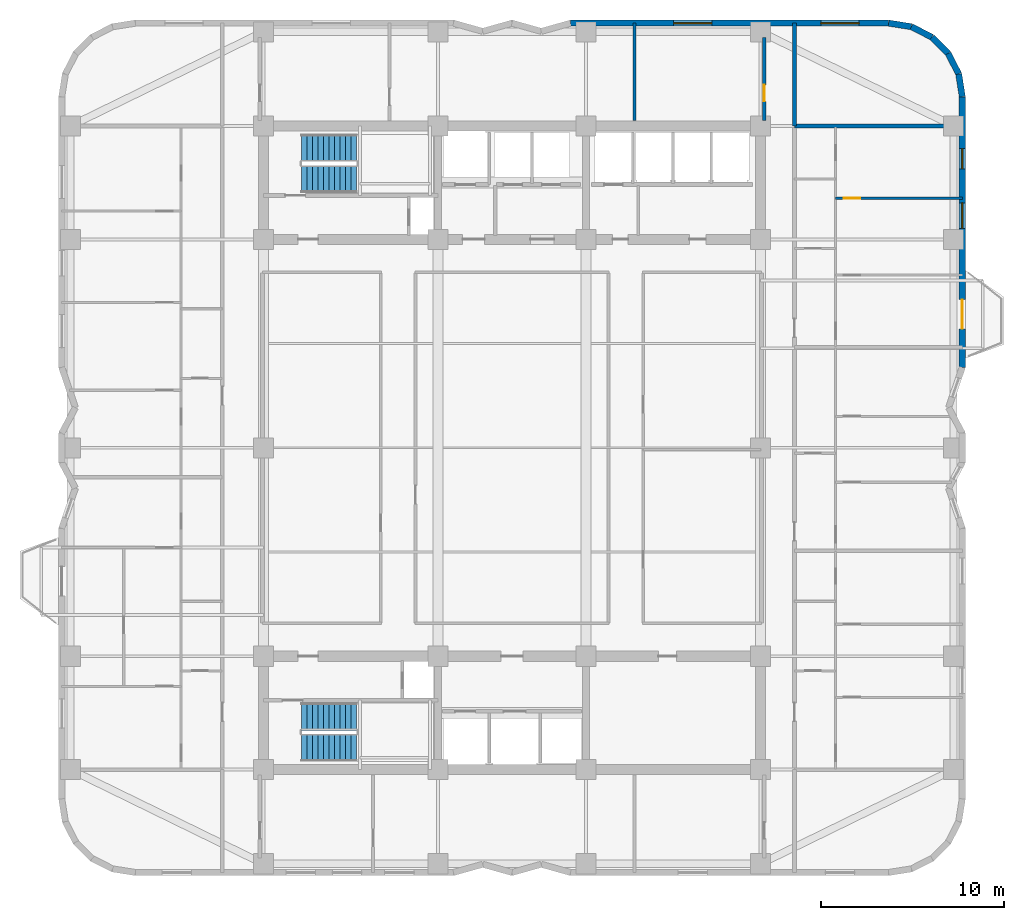
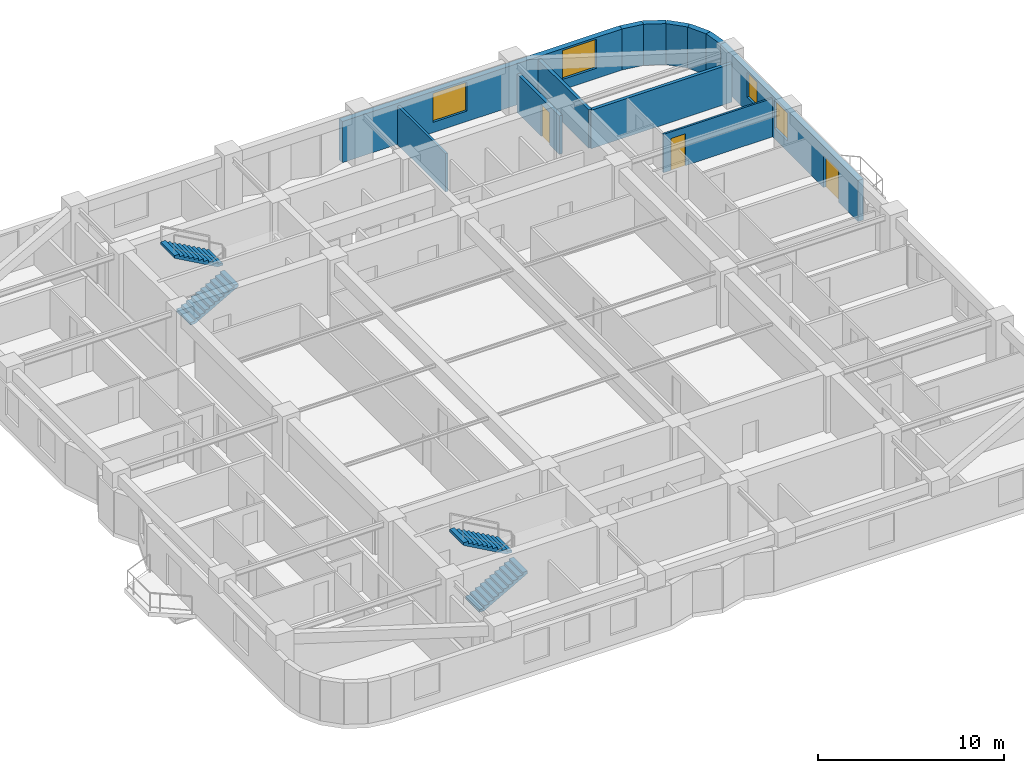
# One storey, part 7 of 9: 12 walls, 4 stair flights, 4 windows, 3 doors, 7 openings, 2 elements without a shape of their own.
"""IFC4 building model written with IfcOpenShell, lengths in metres."""

from ifc_helpers import new_model, si_unit, direction, frame, frame_2d, origin, place, context, subcontext, project, spatial, polyline, rectangle, outline, extrude, material, layer, layer_set, type_object, element, fill, aggregate, save


model = new_model("IFC4")

# Units and contexts
model_context = context("Model", 3, precision=1e-05, world=origin(), true_north=direction((0.0, 1.0)))
body_context = subcontext(model_context, "Body", "Model", "MODEL_VIEW")
ifc_project = project(units=[si_unit("LENGTHUNIT", "METRE"), si_unit("AREAUNIT", "SQUARE_METRE"), si_unit("VOLUMEUNIT", "CUBIC_METRE"), si_unit("PLANEANGLEUNIT", "RADIAN"), si_unit("MASSUNIT", "GRAM", prefix="KILO")], contexts=[model_context])

# Site, building, storey
site_placement = place(None, origin())
site = spatial("IfcSite", under=ifc_project, at=site_placement, CompositionType="ELEMENT")
building_placement = place(site_placement, origin())
building = spatial("IfcBuilding", under=site, at=building_placement, Name="Svetorya Sky Lyceum", CompositionType="ELEMENT")
storey_placement = place(building_placement, frame((0.0, 0.0, 125.300048828125)))
storey = spatial("IfcBuildingStorey", under=building, at=storey_placement, Name="L31", CompositionType="ELEMENT", Elevation=125.300048828125)

# Wall, openings, door, windows
ifc_material_1 = material(Name="Putilovo limestone rainscreen on autoclaved cellular masonry", Category="masonry")
ifc_layer_1 = layer(ifc_material_1, 0.340087890625)
ifc_layer_set_1 = layer_set([ifc_layer_1], Name="Putilovo limestone rainscreen on autoclaved cellular masonry")
wall_type_1 = type_object("IfcWallType", Name="WL-EXT-340", PredefinedType="SOLIDWALL", material=ifc_layer_set_1)
wall_1_placement = place(storey_placement, frame((63.830078125, 32.60009765625, 0.0), z_axis=(0.0, 0.0, 1.0), x_axis=(0.0, 1.0, 0.0)))
wall_1 = element("IfcWall", 1, at=wall_1_placement, inside=storey, type_object=wall_type_1, Name="L31 Limestone Exterior Wall 23M", PredefinedType="SOLIDWALL", context=body_context, shape_type="SweptSolid", body=[
    extrude(rectangle(XDim=14.7998046875, YDim=0.340087890625, at=frame_2d((7.39990234375, 0.0))), origin(), (0.0, 0.0, 1.0), 2.699951171875),
])
opening_1_placement = place(wall_1_placement, frame((2.10009765625, 0.0, 0.0)))
opening_1 = element("IfcOpeningElement", 2, at=opening_1_placement, cuts=wall_1, Name="Opening D-BL1", PredefinedType="OPENING", context=body_context, shape_type="SweptSolid", body=[
    extrude(rectangle(XDim=1.60009765625, YDim=2.10009765625, at=frame_2d((0.800048828125, 1.050048828125))), frame((0.0, 0.179931640625, 0.0), z_axis=(0.0, -1.0, 0.0), x_axis=(1.0, 0.0, 0.0)), (0.0, 0.0, 1.0), 0.360107421875),
])
opening_2_placement = place(wall_1_placement, frame((7.60009765625, 0.0, 0.68994140625)))
opening_2 = element("IfcOpeningElement", 3, at=opening_2_placement, cuts=wall_1, Name="Opening W-R2", PredefinedType="OPENING", context=body_context, shape_type="SweptSolid", body=[
    extrude(rectangle(XDim=1.39990234375, YDim=1.85009765625, at=frame_2d((0.699951171875, 0.925048828125))), frame((0.0, 0.179931640625, 0.0), z_axis=(0.0, -1.0, 0.0), x_axis=(1.0, 0.0, 0.0)), (0.0, 0.0, 1.0), 0.360107421875),
])
opening_3_placement = place(wall_1_placement, frame((10.862548828125, 0.0, 0.929931640625)))
opening_3 = element("IfcOpeningElement", 4, at=opening_3_placement, cuts=wall_1, Name="Opening W-R3", PredefinedType="OPENING", context=body_context, shape_type="SweptSolid", body=[
    extrude(rectangle(XDim=1.10009765625, YDim=1.64990234375, at=frame_2d((0.550048828125, 0.824951171875))), frame((0.0, 0.179931640625, 0.0), z_axis=(0.0, -1.0, 0.0), x_axis=(1.0, 0.0, 0.0)), (0.0, 0.0, 1.0), 0.360107421875),
])
ifc_material_2 = material(Name="Insulated glazed aluminium balcony door", Category="aluminium")
door_type_1 = type_object("IfcDoorType", Name="DR-BAL-1600", OperationType="DOUBLE_DOOR_SINGLE_SWING", PredefinedType="DOOR", material=ifc_material_2)
door_1_placement = place(opening_1_placement, origin())
door_1 = element("IfcDoor", 5, at=door_1_placement, inside=storey, type_object=door_type_1, Name="L31 Balcony BAL-E1 Door", OperationType="DOUBLE_DOOR_SINGLE_SWING", OverallHeight=2.10009765625, OverallWidth=1.60009765625, PredefinedType="DOOR", context=body_context, shape_type="SweptSolid", body=[
    extrude(rectangle(XDim=1.60009765625, YDim=2.10009765625, at=frame_2d((0.800048828125, 1.050048828125))), frame((0.0, 0.02490234375, 0.0), z_axis=(0.0, -1.0, 0.0), x_axis=(1.0, 0.0, 0.0)), (0.0, 0.0, 1.0), 0.050048828125),
])
fill(opening_1, door_1)
ifc_material_3 = material(Name="Thermally broken aluminium frame with triple low-E glazing", Category="aluminium")
window_type_1 = type_object("IfcWindowType", Name="WN-RES-110", PartitioningType="SINGLE_PANEL", PredefinedType="WINDOW", material=ifc_material_3)
window_1_placement = place(opening_3_placement, origin())
window_1 = element("IfcWindow", 6, at=window_1_placement, inside=storey, type_object=window_type_1, Name="L31 Facade Window W-R3.23M.1", OverallHeight=1.64990234375, OverallWidth=1.10009765625, PartitioningType="SINGLE_PANEL", PredefinedType="WINDOW", context=body_context, shape_type="SweptSolid", body=[
    extrude(rectangle(XDim=1.10009765625, YDim=1.64990234375, at=frame_2d((0.550048828125, 0.824951171875))), frame((0.0, 0.030029296875, 0.0), z_axis=(0.0, -1.0, 0.0), x_axis=(1.0, 0.0, 0.0)), (0.0, 0.0, 1.0), 0.06005859375),
])
fill(opening_3, window_1)
window_type_2 = type_object("IfcWindowType", Name="WN-RES-140", PartitioningType="SINGLE_PANEL", PredefinedType="WINDOW", material=ifc_material_3)
window_2_placement = place(opening_2_placement, origin())
window_2 = element("IfcWindow", 7, at=window_2_placement, inside=storey, type_object=window_type_2, Name="L31 Facade Window W-R2.23M.2", OverallHeight=1.85009765625, OverallWidth=1.39990234375, PartitioningType="SINGLE_PANEL", PredefinedType="WINDOW", context=body_context, shape_type="SweptSolid", body=[
    extrude(rectangle(XDim=1.39990234375, YDim=1.85009765625, at=frame_2d((0.699951171875, 0.925048828125))), frame((0.0, 0.030029296875, 0.0), z_axis=(0.0, -1.0, 0.0), x_axis=(1.0, 0.0, 0.0)), (0.0, 0.0, 1.0), 0.06005859375),
])
fill(opening_2, window_2)

# Walls
for number, where, z_axis, x_axis, name in (
    (8, (63.830078125, 47.39990234375, 0.0), (0.0, 0.0, 1.0), (-0.15644975923, 0.987685918112, 0.0), "L31 Limestone Exterior Wall 24M"),
    (9, (63.6328125, 48.645263671875, 0.0), (0.0, 0.0, 1.0), (-0.454015689056, 0.890993689142, 0.0), "L31 Limestone Exterior Wall 25M"),
    (10, (63.060302734375, 49.768798828125, 0.0), (0.0, 0.0, 1.0), (-0.707106781187, 0.707106781187, 0.0), "L31 Limestone Exterior Wall 26M"),
):
    element("IfcWall", number, at=place(storey_placement, frame(where, z_axis=z_axis, x_axis=x_axis)), inside=storey, type_object=wall_type_1, Name=name, PredefinedType="SOLIDWALL", context=body_context, shape_type="SweptSolid", body=[
        extrude(rectangle(XDim=1.260986328125, YDim=0.340087890625, at=frame_2d((0.63037109375, 0.0))), origin(), (0.0, 0.0, 1.0), 2.699951171875),
    ])
for number, where, z_axis, x_axis, name in (
    (11, (62.168701171875, 50.660400390625, 0.0), (0.0, 0.0, 1.0), (-0.890953769915, 0.454094020963, 0.0), "L31 Limestone Exterior Wall 27M"),
    (12, (61.04541015625, 51.23291015625, 0.0), (0.0, 0.0, 1.0), (-0.98771582066, 0.156260864002, 0.0), "L31 Limestone Exterior Wall 28M"),
):
    element("IfcWall", number, at=place(storey_placement, frame(where, z_axis=z_axis, x_axis=x_axis)), inside=storey, type_object=wall_type_1, Name=name, PredefinedType="SOLIDWALL", context=body_context, shape_type="SweptSolid", body=[
        extrude(rectangle(XDim=1.2607421875, YDim=0.340087890625, at=frame_2d((0.63037109375, 0.0))), origin(), (0.0, 0.0, 1.0), 2.699951171875),
    ])

# Wall, openings, windows
wall_2_placement = place(storey_placement, frame((59.800048828125, 51.429931640625, 0.0), z_axis=(0.0, 0.0, 1.0), x_axis=(-1.0, 0.0, 0.0)))
wall_2 = element("IfcWall", 13, at=wall_2_placement, inside=storey, type_object=wall_type_1, Name="L31 Limestone Exterior Wall 29M", PredefinedType="SOLIDWALL", context=body_context, shape_type="SweptSolid", body=[
    extrude(rectangle(XDim=17.400146484375, YDim=0.340087890625, at=frame_2d((8.7001953125, 0.0))), origin(), (0.0, 0.0, 1.0), 2.699951171875),
])
opening_4_placement = place(wall_2_placement, frame((1.612548828125, 0.0, 0.679931640625)))
opening_4 = element("IfcOpeningElement", 14, at=opening_4_placement, cuts=wall_2, Name="Opening W-R0", PredefinedType="OPENING", context=body_context, shape_type="SweptSolid", body=[
    extrude(rectangle(XDim=2.10009765625, YDim=1.89990234375, at=frame_2d((1.050048828125, 0.949951171875))), frame((0.0, 0.179931640625, 0.0), z_axis=(0.0, -1.0, 0.0), x_axis=(1.0, 0.0, 0.0)), (0.0, 0.0, 1.0), 0.360107421875),
])
opening_5_placement = place(wall_2_placement, frame((9.66259765625, 0.0, 0.679931640625)))
opening_5 = element("IfcOpeningElement", 15, at=opening_5_placement, cuts=wall_2, Name="Opening W-R0", PredefinedType="OPENING", context=body_context, shape_type="SweptSolid", body=[
    extrude(rectangle(XDim=2.10009765625, YDim=1.89990234375, at=frame_2d((1.050048828125, 0.949951171875))), frame((0.0, 0.179931640625, 0.0), z_axis=(0.0, -1.0, 0.0), x_axis=(1.0, 0.0, 0.0)), (0.0, 0.0, 1.0), 0.360107421875),
])
window_type_3 = type_object("IfcWindowType", Name="WN-RES-210", PartitioningType="TRIPLE_PANEL_VERTICAL", PredefinedType="WINDOW", material=ifc_material_3)
window_3_placement = place(opening_4_placement, origin())
window_3 = element("IfcWindow", 16, at=window_3_placement, inside=storey, type_object=window_type_3, Name="L31 Facade Window W-R0.29M.1", OverallHeight=1.89990234375, OverallWidth=2.10009765625, PartitioningType="SINGLE_PANEL", PredefinedType="WINDOW", context=body_context, shape_type="SweptSolid", body=[
    extrude(rectangle(XDim=2.10009765625, YDim=1.89990234375, at=frame_2d((1.050048828125, 0.949951171875))), frame((0.0, 0.030029296875, 0.0), z_axis=(0.0, -1.0, 0.0), x_axis=(1.0, 0.0, 0.0)), (0.0, 0.0, 1.0), 0.06005859375),
])
fill(opening_4, window_3)
window_4_placement = place(opening_5_placement, origin())
window_4 = element("IfcWindow", 17, at=window_4_placement, inside=storey, type_object=window_type_3, Name="L31 Facade Window W-R0.29M.2", OverallHeight=1.89990234375, OverallWidth=2.10009765625, PartitioningType="SINGLE_PANEL", PredefinedType="WINDOW", context=body_context, shape_type="SweptSolid", body=[
    extrude(rectangle(XDim=2.10009765625, YDim=1.89990234375, at=frame_2d((1.050048828125, 0.949951171875))), frame((0.0, 0.030029296875, 0.0), z_axis=(0.0, -1.0, 0.0), x_axis=(1.0, 0.0, 0.0)), (0.0, 0.0, 1.0), 0.06005859375),
])
fill(opening_5, window_4)

# Wall, opening, door
ifc_material_4 = material(Name="Twin-stud galvanized framing with double fireboard", Category="gypsum")
ifc_layer_2 = layer(ifc_material_4, 0.1201171875)
ifc_layer_set_2 = layer_set([ifc_layer_2], Name="Twin-stud galvanized framing with double fireboard")
wall_type_2 = type_object("IfcWallType", Name="WL-PART-120", PredefinedType="PARTITIONING", material=ifc_layer_set_2)
wall_3_placement = place(storey_placement, frame((56.89990234375, 41.85009765625, 0.0), z_axis=(0.0, 0.0, 1.0), x_axis=(1.0, 0.0, 0.0)))
wall_3 = element("IfcWall", 18, at=wall_3_placement, inside=storey, type_object=wall_type_2, Name="L31 Interior Partition E3-WL2", PredefinedType="PARTITIONING", context=body_context, shape_type="SweptSolid", body=[
    extrude(rectangle(XDim=6.93017578125, YDim=0.1201171875, at=frame_2d((3.465087890625, 0.0))), origin(), (0.0, 0.0, 1.0), 2.530029296875),
])
opening_6_placement = place(wall_3_placement, frame((0.449951171875, 0.0, 0.0)))
opening_6 = element("IfcOpeningElement", 19, at=opening_6_placement, cuts=wall_3, Name="Opening D-RM1", PredefinedType="OPENING", context=body_context, shape_type="SweptSolid", body=[
    extrude(rectangle(XDim=0.89990234375, YDim=2.10009765625, at=frame_2d((0.449951171875, 1.050048828125))), frame((0.0, 0.070068359375, 0.0), z_axis=(0.0, -1.0, 0.0), x_axis=(1.0, 0.0, 0.0)), (0.0, 0.0, 1.0), 0.14013671875),
])
ifc_material_5 = material(Name="Lacquered birch veneer internal door")
door_type_2 = type_object("IfcDoorType", Name="DR-INT-900", OperationType="SINGLE_SWING_LEFT", PredefinedType="DOOR", material=ifc_material_5)
door_2_placement = place(opening_6_placement, origin())
door_2 = element("IfcDoor", 20, at=door_2_placement, inside=storey, type_object=door_type_2, Name="Apartment E3 Bedroom 2 Door", OperationType="SINGLE_SWING_LEFT", OverallHeight=2.10009765625, OverallWidth=0.89990234375, PredefinedType="DOOR", context=body_context, shape_type="SweptSolid", body=[
    extrude(rectangle(XDim=0.89990234375, YDim=2.10009765625, at=frame_2d((0.449951171875, 1.050048828125))), frame((0.0, 0.02490234375, 0.0), z_axis=(0.0, -1.0, 0.0), x_axis=(1.0, 0.0, 0.0)), (0.0, 0.0, 1.0), 0.050048828125),
])
fill(opening_6, door_2)

# Walls
ifc_material_6 = material(Name="Autoclaved cellular masonry blockwork with acoustic render", Category="masonry")
ifc_layer_3 = layer(ifc_material_6, 0.14990234375)
ifc_layer_set_3 = layer_set([ifc_layer_3], Name="Autoclaved cellular masonry blockwork with acoustic render")
wall_type_3 = type_object("IfcWallType", Name="WL-PART-150", PredefinedType="PARTITIONING", material=ifc_layer_set_3)
wall_4_placement = place(storey_placement, frame((45.89990234375, 46.10009765625, 0.0), z_axis=(0.0, 0.0, 1.0), x_axis=(0.0, 1.0, 0.0)))
element("IfcWall", 21, at=wall_4_placement, inside=storey, type_object=wall_type_3, Name="L31 Interior Partition N-D2", PredefinedType="PARTITIONING", context=body_context, shape_type="SweptSolid", body=[
    extrude(rectangle(XDim=5.329833984375, YDim=0.14990234375, at=frame_2d((2.6650390625, 0.0))), origin(), (0.0, 0.0, 1.0), 2.530029296875),
])
ifc_material_7 = material(Name="Autoclaved cellular masonry blockwork with gypsum plaster", Category="masonry")
ifc_layer_4 = layer(ifc_material_7, 0.199951171875)
ifc_layer_set_4 = layer_set([ifc_layer_4], Name="Autoclaved cellular masonry blockwork with gypsum plaster")
wall_type_4 = type_object("IfcWallType", Name="WL-PART-200", PredefinedType="PARTITIONING", material=ifc_layer_set_4)
wall_5_placement = place(storey_placement, frame((54.64990234375, 45.800048828125, 0.0), z_axis=(0.0, 0.0, 1.0), x_axis=(1.0, 0.0, 0.0)))
element("IfcWall", 22, at=wall_5_placement, inside=storey, type_object=wall_type_4, Name="L31 Interior Partition E-CAP-N", PredefinedType="PARTITIONING", context=body_context, shape_type="SweptSolid", body=[
    extrude(rectangle(XDim=8.760009765625, YDim=0.199951171875, at=frame_2d((4.3798828125, 0.0))), origin(), (0.0, 0.0, 1.0), 2.530029296875),
])
wall_6_placement = place(storey_placement, frame((54.64990234375, 45.800048828125, 0.0), z_axis=(0.0, 0.0, 1.0), x_axis=(0.0, 1.0, 0.0)))
element("IfcWall", 23, at=wall_6_placement, inside=storey, type_object=wall_type_4, Name="L31 Interior Partition EC-NE-END", PredefinedType="PARTITIONING", context=body_context, shape_type="SweptSolid", body=[
    extrude(rectangle(XDim=5.6298828125, YDim=0.199951171875, at=frame_2d((2.81494140625, 0.0))), origin(), (0.0, 0.0, 1.0), 2.530029296875),
])

# Wall, opening, door
wall_7_placement = place(storey_placement, frame((53.0, 46.10009765625, 0.0), z_axis=(0.0, 0.0, 1.0), x_axis=(0.0, 1.0, 0.0)))
wall_7 = element("IfcWall", 24, at=wall_7_placement, inside=storey, type_object=wall_type_4, Name="L31 Interior Partition N-EE", PredefinedType="PARTITIONING", context=body_context, shape_type="SweptSolid", body=[
    extrude(rectangle(XDim=4.52978515625, YDim=0.199951171875, at=frame_2d((2.264892578125, 0.0))), origin(), (0.0, 0.0, 1.0), 2.530029296875),
])
opening_7_placement = place(wall_7_placement, frame((1.050048828125, 0.0, 0.0)))
opening_7 = element("IfcOpeningElement", 25, at=opening_7_placement, cuts=wall_7, Name="Opening D-RM1", PredefinedType="OPENING", context=body_context, shape_type="SweptSolid", body=[
    extrude(rectangle(XDim=0.89990234375, YDim=2.10009765625, at=frame_2d((0.449951171875, 1.050048828125))), frame((0.0, 0.10986328125, 0.0), z_axis=(0.0, -1.0, 0.0), x_axis=(1.0, 0.0, 0.0)), (0.0, 0.0, 1.0), 0.219970703125),
])
door_3_placement = place(opening_7_placement, origin())
door_3 = element("IfcDoor", 26, at=door_3_placement, inside=storey, type_object=door_type_2, Name="L31 North Meeting Door", OperationType="SINGLE_SWING_LEFT", OverallHeight=2.10009765625, OverallWidth=0.89990234375, PredefinedType="DOOR", context=body_context, shape_type="SweptSolid", body=[
    extrude(rectangle(XDim=0.89990234375, YDim=2.10009765625, at=frame_2d((0.449951171875, 1.050048828125))), frame((0.0, 0.02490234375, 0.0), z_axis=(0.0, -1.0, 0.0), x_axis=(1.0, 0.0, 0.0)), (0.0, 0.0, 1.0), 0.050048828125),
])
fill(opening_7, door_3)

# Stair, stair flights
ifc_material_8 = material(Name="Concrete C40/50", Category="concrete")
stair_type_1 = type_object("IfcStairType", Name="STR-ST-N", PredefinedType="HALF_TURN_STAIR", material=ifc_material_8)
stair_1_placement = place(storey_placement, origin())
stair_1 = element("IfcStair", 27, at=stair_1_placement, inside=storey, type_object=stair_type_1, Name="L31 North Core Smoke-Free Exit Stair N3", PredefinedType="HALF_TURN_STAIR")
stair_flight_type_1 = type_object("IfcStairFlightType", Name="SFL-ST-N", PredefinedType="STRAIGHT", material=ifc_material_8)
stair_flight_1_placement = place(storey_placement, frame((27.699951171875, 42.89990234375, 0.0), z_axis=(0.0, 0.0, 1.0), x_axis=(1.0, 0.0, 0.0)))
stair_flight_1 = element("IfcStairFlight", 28, at=stair_flight_1_placement, type_object=stair_flight_type_1, Name="ST-N flight 1", NumberOfRisers=11, NumberOfTreads=10, PredefinedType="STRAIGHT", RiserHeight=0.168181818, TreadLength=0.3, context=body_context, shape_type="SweptSolid", body=[
    extrude(outline(polyline([(0.0, 0.0), (0.0, 0.168212890625), (0.300048828125, 0.168212890625), (0.300048828125, 0.33642578125), (0.60009765625, 0.33642578125), (0.60009765625, 0.504638671875), (0.89990234375, 0.504638671875), (0.89990234375, 0.672607421875), (1.199951171875, 0.672607421875), (1.199951171875, 0.8408203125), (1.5, 0.8408203125), (1.5, 1.009033203125), (1.800048828125, 1.009033203125), (1.800048828125, 1.17724609375), (2.10009765625, 1.17724609375), (2.10009765625, 1.345458984375), (2.39990234375, 1.345458984375), (2.39990234375, 1.513671875), (2.699951171875, 1.513671875), (2.699951171875, 1.681884765625), (3.0, 1.681884765625), (3.0, 1.85009765625), (3.0, 1.510009765625), (0.306640625, 0.0), (0.0, 0.0)])), frame((0.0, 0.75, 0.0), z_axis=(0.0, -1.0, 0.0), x_axis=(1.0, 0.0, 0.0)), (0.0, 0.0, 1.0), 1.5),
])
stair_flight_2_placement = place(storey_placement, frame((30.699951171875, 44.60009765625, 1.849853515625), z_axis=(0.0, 0.0, 1.0), x_axis=(-1.0, 0.0, 0.0)))
stair_flight_2 = element("IfcStairFlight", 29, at=stair_flight_2_placement, type_object=stair_flight_type_1, Name="ST-N flight 2", NumberOfRisers=11, NumberOfTreads=10, PredefinedType="STRAIGHT", RiserHeight=0.168181818, TreadLength=0.3, context=body_context, shape_type="SweptSolid", body=[
    extrude(outline(polyline([(0.0, 0.0), (0.0, 0.168212890625), (0.300048828125, 0.168212890625), (0.300048828125, 0.33642578125), (0.60009765625, 0.33642578125), (0.60009765625, 0.504638671875), (0.89990234375, 0.504638671875), (0.89990234375, 0.672607421875), (1.199951171875, 0.672607421875), (1.199951171875, 0.8408203125), (1.5, 0.8408203125), (1.5, 1.009033203125), (1.800048828125, 1.009033203125), (1.800048828125, 1.17724609375), (2.10009765625, 1.17724609375), (2.10009765625, 1.345458984375), (2.39990234375, 1.345458984375), (2.39990234375, 1.513671875), (2.699951171875, 1.513671875), (2.699951171875, 1.681884765625), (3.0, 1.681884765625), (3.0, 1.85009765625), (3.0, 1.510009765625), (0.306640625, 0.0), (0.0, 0.0)])), frame((0.0, 0.75, 0.0), z_axis=(0.0, -1.0, 0.0), x_axis=(1.0, 0.0, 0.0)), (0.0, 0.0, 1.0), 1.5),
])
aggregate(stair_1, [stair_flight_1, stair_flight_2])

stair_type_2 = type_object("IfcStairType", Name="STR-ST-S", PredefinedType="HALF_TURN_STAIR", material=ifc_material_8)
stair_2_placement = place(storey_placement, origin())
stair_2 = element("IfcStair", 30, at=stair_2_placement, inside=storey, type_object=stair_type_2, Name="L31 South Core Smoke-Free Exit Stair N2", PredefinedType="HALF_TURN_STAIR")
stair_flight_type_2 = type_object("IfcStairFlightType", Name="SFL-ST-S", PredefinedType="STRAIGHT", material=ifc_material_8)
stair_flight_3_placement = place(storey_placement, frame((27.699951171875, 11.800048828125, 0.0), z_axis=(0.0, 0.0, 1.0), x_axis=(1.0, 0.0, 0.0)))
stair_flight_3 = element("IfcStairFlight", 31, at=stair_flight_3_placement, type_object=stair_flight_type_2, Name="ST-S flight 1", NumberOfRisers=11, NumberOfTreads=10, PredefinedType="STRAIGHT", RiserHeight=0.168181818, TreadLength=0.3, context=body_context, shape_type="SweptSolid", body=[
    extrude(outline(polyline([(0.0, 0.0), (0.0, 0.168212890625), (0.300048828125, 0.168212890625), (0.300048828125, 0.33642578125), (0.60009765625, 0.33642578125), (0.60009765625, 0.504638671875), (0.89990234375, 0.504638671875), (0.89990234375, 0.672607421875), (1.199951171875, 0.672607421875), (1.199951171875, 0.8408203125), (1.5, 0.8408203125), (1.5, 1.009033203125), (1.800048828125, 1.009033203125), (1.800048828125, 1.17724609375), (2.10009765625, 1.17724609375), (2.10009765625, 1.345458984375), (2.39990234375, 1.345458984375), (2.39990234375, 1.513671875), (2.699951171875, 1.513671875), (2.699951171875, 1.681884765625), (3.0, 1.681884765625), (3.0, 1.85009765625), (3.0, 1.510009765625), (0.306640625, 0.0), (0.0, 0.0)])), frame((0.0, 0.75, 0.0), z_axis=(0.0, -1.0, 0.0), x_axis=(1.0, 0.0, 0.0)), (0.0, 0.0, 1.0), 1.5),
])
stair_flight_4_placement = place(storey_placement, frame((30.699951171875, 13.5, 1.849853515625), z_axis=(0.0, 0.0, 1.0), x_axis=(-1.0, 0.0, 0.0)))
stair_flight_4 = element("IfcStairFlight", 32, at=stair_flight_4_placement, type_object=stair_flight_type_2, Name="ST-S flight 2", NumberOfRisers=11, NumberOfTreads=10, PredefinedType="STRAIGHT", RiserHeight=0.168181818, TreadLength=0.3, context=body_context, shape_type="SweptSolid", body=[
    extrude(outline(polyline([(0.0, 0.0), (0.0, 0.168212890625), (0.300048828125, 0.168212890625), (0.300048828125, 0.33642578125), (0.60009765625, 0.33642578125), (0.60009765625, 0.504638671875), (0.89990234375, 0.504638671875), (0.89990234375, 0.672607421875), (1.199951171875, 0.672607421875), (1.199951171875, 0.8408203125), (1.5, 0.8408203125), (1.5, 1.009033203125), (1.800048828125, 1.009033203125), (1.800048828125, 1.17724609375), (2.10009765625, 1.17724609375), (2.10009765625, 1.345458984375), (2.39990234375, 1.345458984375), (2.39990234375, 1.513671875), (2.699951171875, 1.513671875), (2.699951171875, 1.681884765625), (3.0, 1.681884765625), (3.0, 1.85009765625), (3.0, 1.510009765625), (0.306640625, 0.0), (0.0, 0.0)])), frame((0.0, 0.75, 0.0), z_axis=(0.0, -1.0, 0.0), x_axis=(1.0, 0.0, 0.0)), (0.0, 0.0, 1.0), 1.5),
])
aggregate(stair_2, [stair_flight_3, stair_flight_4])

save(model, "model.ifc")
